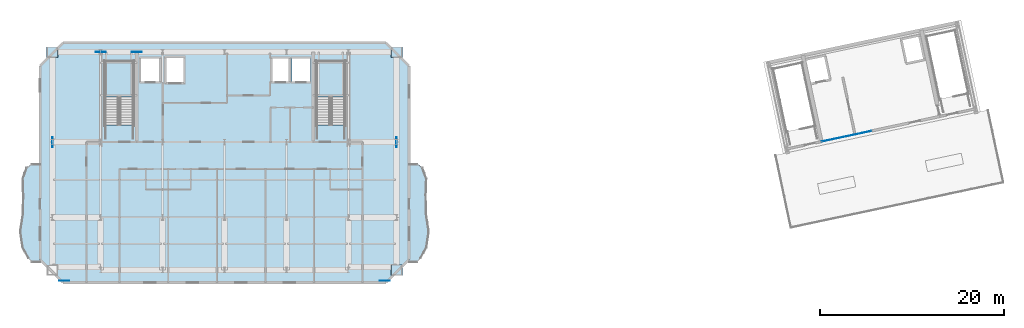
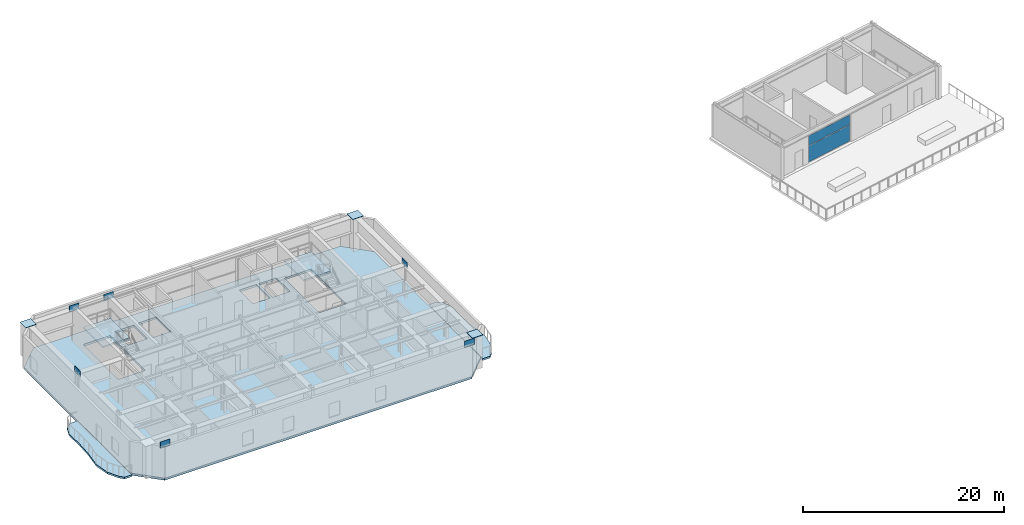
# One storey, part 8 of 16: 11 plates, 5 slabs, 3 elements without a shape of their own.
"""IFC4 building model written with IfcOpenShell, lengths in metres."""

from ifc_helpers import new_model, si_unit, direction, frame, origin, origin_2d, place, context, subcontext, project, spatial, polyline, rectangle, outline, extrude, material, layer, layer_set, type_object, element, aggregate, save


model = new_model("IFC4")

# Units and contexts
model_context = context("Model", 3, precision=1e-05, world=origin(), true_north=direction((0.0, 1.0)))
body_context = subcontext(model_context, "Body", "Model", "MODEL_VIEW")
ifc_project = project(units=[si_unit("LENGTHUNIT", "METRE"), si_unit("AREAUNIT", "SQUARE_METRE"), si_unit("VOLUMEUNIT", "CUBIC_METRE"), si_unit("PLANEANGLEUNIT", "RADIAN"), si_unit("MASSUNIT", "GRAM", prefix="KILO")], contexts=[model_context])

# Site, building, storey
site_placement = place(None, origin())
site = spatial("IfcSite", under=ifc_project, at=site_placement, CompositionType="ELEMENT")
building_placement = place(site_placement, origin())
building = spatial("IfcBuilding", under=site, at=building_placement, Name="Haevon Station Towers", CompositionType="ELEMENT")
storey_placement = place(building_placement, frame((0.0, 0.0, 235.199951171875)))
storey = spatial("IfcBuildingStorey", under=building, at=storey_placement, Name="L65", CompositionType="ELEMENT", Elevation=235.199951171875)

# Curtain wall, plates
ifc_material_1 = material(Name="Anodised aluminium and Low-E double glazing", Category="aluminium")
ifc_layer_1 = layer(ifc_material_1, 0.179931640625)
ifc_layer_set_1 = layer_set([ifc_layer_1], Name="Anodised aluminium and Low-E double glazing")
curtain_wall_type = type_object("IfcCurtainWallType", Name="CW-SYS5", PredefinedType="NOTDEFINED", material=ifc_layer_set_1)
curtain_wall_placement = place(storey_placement, origin())
curtain_wall = element("IfcCurtainWall", 1, at=curtain_wall_placement, inside=storey, type_object=curtain_wall_type, Name="L65 Curtain Wall CW-T2-L65-HH", PredefinedType="NOTDEFINED")
ifc_material_2 = material(Name="Low-E double glazing", Category="glass")
ifc_layer_2 = layer(ifc_material_2, 0.028076171875)
ifc_layer_set_2 = layer_set([ifc_layer_2], Name="Low-E double glazing")
plate_type_1 = type_object("IfcPlateType", Name="CWP-GLZ28", PredefinedType="CURTAIN_PANEL", material=ifc_layer_set_2)
plate_1_placement = place(storey_placement, frame((105.281494140625, 38.830322265625, 0.06005859375), z_axis=(0.0, 0.0, 1.0), x_axis=(-0.978147603074, -0.207911679806, 0.0)))
plate_1 = element("IfcPlate", 2, at=plate_1_placement, type_object=plate_type_1, Name="CW-SYS5 panel 1.1", PredefinedType="CURTAIN_PANEL", context=body_context, shape_type="SweptSolid", body=[
    extrude(rectangle(XDim=5.530029296875, YDim=0.028076171875, at=origin_2d()), origin(), (0.0, 0.0, 1.0), 1.9560546875),
])
plate_2_placement = place(storey_placement, frame((105.281494140625, 38.830322265625, 2.075927734375), z_axis=(0.0, 0.0, 1.0), x_axis=(-0.978147603074, -0.207911679806, 0.0)))
plate_2 = element("IfcPlate", 3, at=plate_2_placement, type_object=plate_type_1, Name="CW-SYS5 panel 1.2", PredefinedType="CURTAIN_PANEL", context=body_context, shape_type="SweptSolid", body=[
    extrude(rectangle(XDim=5.530029296875, YDim=0.028076171875, at=origin_2d()), origin(), (0.0, 0.0, 1.0), 1.1640625),
])
aggregate(curtain_wall, [plate_1, plate_2])

# Plates
ifc_material_3 = material(Name="PL-FLG1", Category="steel")
ifc_layer_3 = layer(ifc_material_3, 0.044921875)
ifc_layer_set_3 = layer_set([ifc_layer_3], Name="PL-FLG1")
plate_type_2 = type_object("IfcPlateType", Name="PL-FLG1", PredefinedType="USERDEFINED", material=ifc_layer_set_3)
for number, where, z_axis, x_axis, name in (
    (4, (18.75, 48.0, 3.949951171875), (0.0, 0.0, 1.0), (1.0, 0.0, 0.0), "PL-CAP-T1-L65-01-04"),
    (5, (56.25, 24.25, 3.949951171875), (0.0, 0.0, 1.0), (1.0, 0.0, 0.0), "PL-CAP-T1-L65-07-01"),
    (6, (56.25, 48.0, 3.949951171875), (0.0, 0.0, 1.0), (1.0, 0.0, 0.0), "PL-CAP-T1-L65-07-04"),
):
    element("IfcPlate", number, at=place(storey_placement, frame(where, z_axis=z_axis, x_axis=x_axis)), inside=storey, type_object=plate_type_2, Name=name, ObjectType="FLANGE_PLATE", PredefinedType="USERDEFINED", context=body_context, shape_type="SweptSolid", body=[
        extrude(rectangle(XDim=1.239990234375, YDim=1.139892578125, at=origin_2d()), origin(), (0.0, 0.0, 1.0), 0.0400390625),
    ])
ifc_material_4 = material(Name="PL-SPL1", Category="steel")
ifc_layer_4 = layer(ifc_material_4, 0.031982421875)
ifc_layer_set_4 = layer_set([ifc_layer_4], Name="PL-SPL1")
plate_type_3 = type_object("IfcPlateType", Name="PL-SPL1", PredefinedType="USERDEFINED", material=ifc_layer_set_4)
for number, where, z_axis, x_axis, name in (
    (7, (20.050048828125, 23.080078125, 3.675048828125), (0.0, 0.0, 1.0), (1.0, 0.0, 0.0), "PL-T1SPL-T09-S-3"),
    (8, (54.949951171875, 23.080078125, 3.675048828125), (0.0, 0.0, 1.0), (1.0, 0.0, 0.0), "PL-T1SPL-T09-S-4"),
    (9, (24.0, 48.0, 3.675048828125), (0.0, 0.0, 1.0), (1.0, 0.0, 0.0), "PL-T1SPL-T09-N-3"),
    (10, (27.949951171875, 48.0, 3.675048828125), (0.0, 0.0, 1.0), (1.0, 0.0, 0.0), "PL-T1SPL-T09-N-4"),
    (11, (18.75, 38.199951171875, 3.675048828125), (0.0, 0.0, 1.0), (0.0, 1.0, 0.0), "PL-T1SPL-T09-W-4"),
    (12, (56.25, 38.199951171875, 3.675048828125), (0.0, 0.0, 1.0), (0.0, 1.0, 0.0), "PL-T1SPL-T09-E-4"),
):
    element("IfcPlate", number, at=place(storey_placement, frame(where, z_axis=z_axis, x_axis=x_axis)), inside=storey, type_object=plate_type_3, Name=name, ObjectType="SPLICE_PLATE", PredefinedType="USERDEFINED", context=body_context, shape_type="SweptSolid", body=[
        extrude(rectangle(XDim=1.10009765625, YDim=0.031982421875, at=origin_2d()), origin(), (0.0, 0.0, 1.0), 0.75),
    ])

# Slabs
ifc_material_5 = material(Name="Concrete C40/50", Category="concrete")
ifc_layer_5 = layer(ifc_material_5, 0.219970703125)
ifc_layer_set_5 = layer_set([ifc_layer_5], Name="Concrete C40/50")
slab_type_1 = type_object("IfcSlabType", Name="SL-BALC220", PredefinedType="FLOOR", material=ifc_layer_set_5)
slab_1_placement = place(storey_placement, frame((0.0, 0.0, -0.219970703125)))
element("IfcSlab", 13, at=slab_1_placement, inside=storey, type_object=slab_type_1, Name="Tower 1 L65 West SCALLOPED BALCONY", PredefinedType="FLOOR", context=body_context, shape_type="SweptSolid", body=[
    extrude(outline(polyline([(17.39501953125, 35.85009765625), (16.544921875, 35.85009765625), (15.931640625, 35.43896484375), (15.502685546875, 34.268310546875), (15.559326171875, 32.5166015625), (15.474365234375, 30.449951171875), (15.21630859375, 28.383544921875), (15.502685546875, 26.631591796875), (16.162109375, 25.4609375), (16.544921875, 25.050048828125), (17.39501953125, 25.050048828125), (17.39501953125, 35.85009765625)])), origin(), (0.0, 0.0, 1.0), 0.219970703125),
])
slab_2_placement = place(storey_placement, frame((0.0, 0.0, -0.219970703125)))
element("IfcSlab", 14, at=slab_2_placement, inside=storey, type_object=slab_type_1, Name="Tower 1 L65 East SCALLOPED BALCONY", PredefinedType="FLOOR", context=body_context, shape_type="SweptSolid", body=[
    extrude(outline(polyline([(57.60498046875, 25.050048828125), (58.455078125, 25.050048828125), (58.837890625, 25.4609375), (59.497314453125, 26.631591796875), (59.78369140625, 28.383544921875), (59.525634765625, 30.449951171875), (59.440673828125, 32.5166015625), (59.497314453125, 34.268310546875), (59.068359375, 35.43896484375), (58.455078125, 35.85009765625), (57.60498046875, 35.85009765625), (57.60498046875, 25.050048828125)])), origin(), (0.0, 0.0, 1.0), 0.219970703125),
])

# Stair, slab
stair_type = type_object("IfcStairType", Name="STR-DL1450", PredefinedType="USERDEFINED", material=ifc_material_5)
stair_1_placement = place(storey_placement, origin())
stair_1 = element("IfcStair", 15, at=stair_1_placement, inside=storey, type_object=stair_type, Name="L65 Escape Stair ST1", ObjectType="TWO_RETURN_STAIR", PredefinedType="USERDEFINED")
ifc_layer_6 = layer(ifc_material_5, 0.199951171875)
ifc_layer_set_6 = layer_set([ifc_layer_6], Name="Concrete C40/50")
slab_type_2 = type_object("IfcSlabType", Name="SL-LND200", PredefinedType="LANDING", material=ifc_layer_set_6)
slab_3_placement = place(storey_placement, frame((0.0, 0.0, 1.900146484375)))
slab_3 = element("IfcSlab", 16, at=slab_3_placement, type_object=slab_type_2, Name="L65 ST1 Half Landing 1", PredefinedType="LANDING", context=body_context, shape_type="SweptSolid", body=[
    extrude(outline(polyline([(27.580078125, 43.1240234375), (27.580078125, 47.0), (24.47998046875, 47.0), (24.47998046875, 43.1240234375), (27.580078125, 43.1240234375)])), origin(), (0.0, 0.0, 1.0), 0.199951171875),
])
aggregate(stair_1, [slab_3])

stair_2_placement = place(storey_placement, origin())
stair_2 = element("IfcStair", 17, at=stair_2_placement, inside=storey, type_object=stair_type, Name="L65 Escape Stair ST2", ObjectType="TWO_RETURN_STAIR", PredefinedType="USERDEFINED")
slab_4_placement = place(storey_placement, frame((0.0, 0.0, 1.900146484375)))
slab_4 = element("IfcSlab", 18, at=slab_4_placement, type_object=slab_type_2, Name="L65 ST2 Half Landing 1", PredefinedType="LANDING", context=body_context, shape_type="SweptSolid", body=[
    extrude(outline(polyline([(50.6201171875, 43.1240234375), (50.6201171875, 47.0), (47.52001953125, 47.0), (47.52001953125, 43.1240234375), (50.6201171875, 43.1240234375)])), origin(), (0.0, 0.0, 1.0), 0.199951171875),
])
aggregate(stair_2, [slab_4])

# Slab
ifc_layer_7 = layer(ifc_material_5, 0.25)
ifc_layer_set_7 = layer_set([ifc_layer_7], Name="Concrete C40/50")
slab_type_3 = type_object("IfcSlabType", Name="SL-TW250", PredefinedType="FLOOR", material=ifc_layer_set_7)
slab_5_placement = place(storey_placement, frame((0.0, 0.0, -0.25)))
element("IfcSlab", 19, at=slab_5_placement, inside=storey, type_object=slab_type_3, Name="SL-T1-L65", PredefinedType="FLOOR", context=body_context, shape_type="SweptSolid", body=[
    extrude(outline(polyline([(19.89990234375, 22.89990234375), (55.10009765625, 22.89990234375), (57.60009765625, 25.39990234375), (57.60009765625, 46.5), (55.10009765625, 49.0), (19.89990234375, 49.0), (17.39990234375, 46.5), (17.39990234375, 25.39990234375), (19.89990234375, 22.89990234375)]), holes=[polyline([(27.580078125, 40.055908203125), (27.580078125, 47.0), (24.47998046875, 47.0), (24.47998046875, 40.055908203125), (27.580078125, 40.055908203125)]), polyline([(50.6201171875, 40.055908203125), (50.6201171875, 47.0), (47.52001953125, 47.0), (47.52001953125, 40.055908203125), (50.6201171875, 40.055908203125)]), polyline([(28.300048828125, 44.699951171875), (30.5, 44.699951171875), (30.5, 47.39990234375), (28.300048828125, 47.39990234375), (28.300048828125, 44.699951171875)]), polyline([(31.050048828125, 44.60009765625), (33.14990234375, 44.60009765625), (33.14990234375, 47.5), (31.050048828125, 47.5), (31.050048828125, 44.60009765625)]), polyline([(42.60009765625, 44.699951171875), (44.60009765625, 44.699951171875), (44.60009765625, 47.39990234375), (42.60009765625, 47.39990234375), (42.60009765625, 44.699951171875)]), polyline([(44.85009765625, 44.699951171875), (46.85009765625, 44.699951171875), (46.85009765625, 47.39990234375), (44.85009765625, 47.39990234375), (44.85009765625, 44.699951171875)])]), origin(), (0.0, 0.0, 1.0), 0.25),
])

save(model, "model.ifc")
